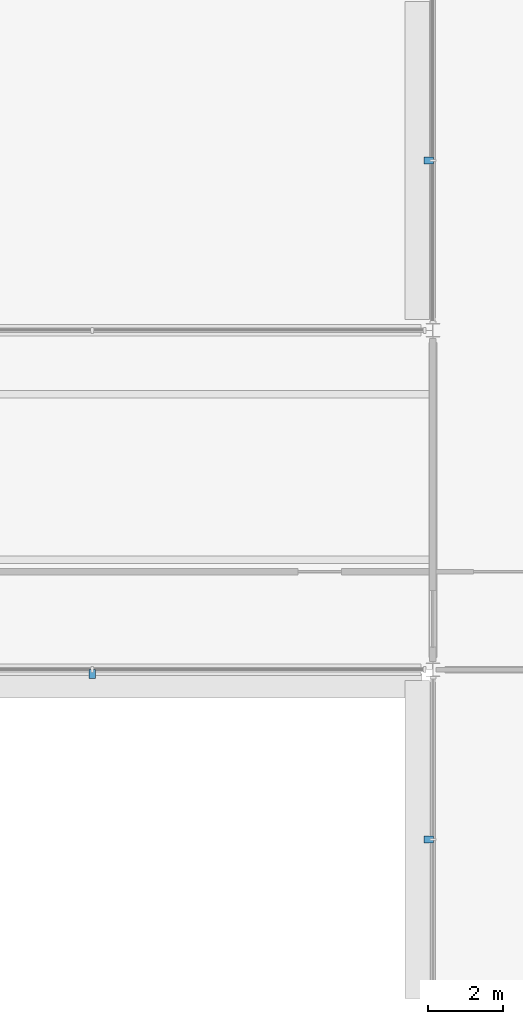
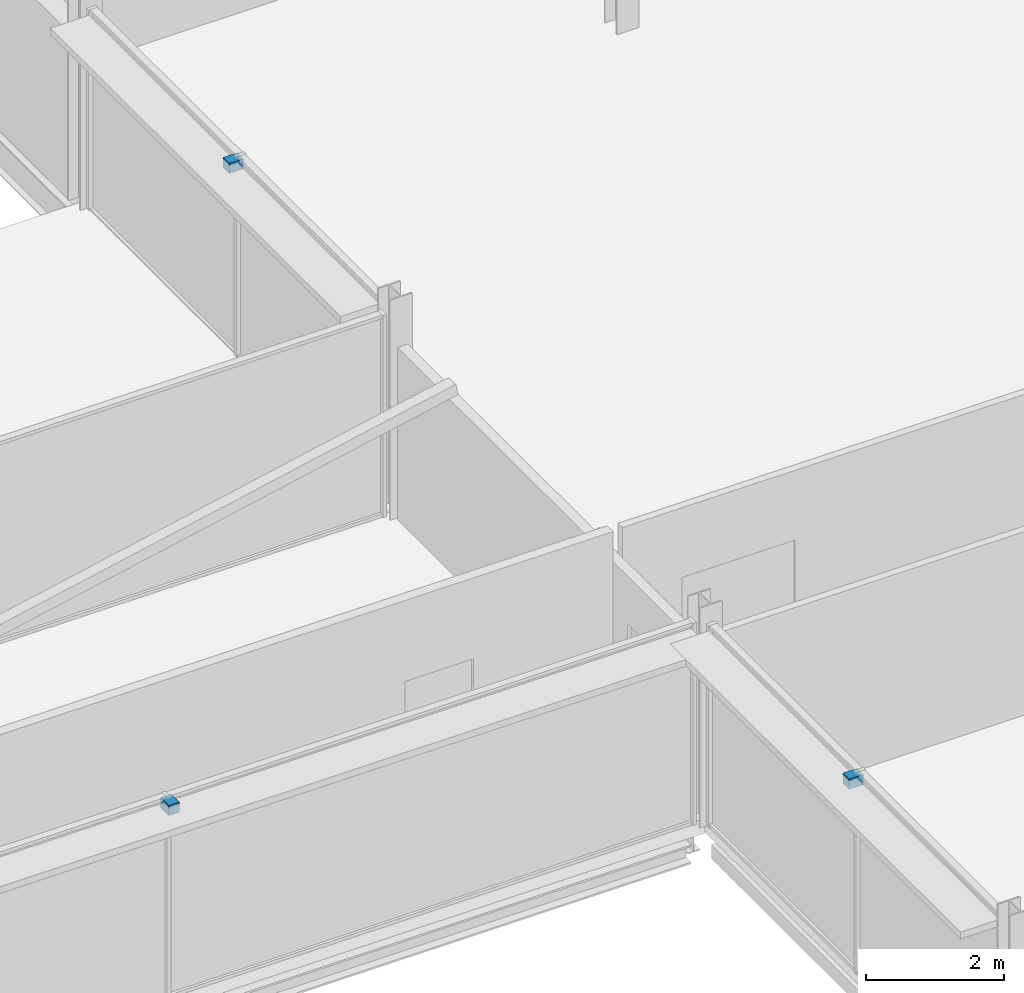
# One storey, part 83 of 105: 3 discrete accessories.
"""IFC4 building model written with IfcOpenShell, lengths in metres."""

from ifc_helpers import new_model, si_unit, direction, frame, origin, origin_2d, place, context, subcontext, project, spatial, rectangle, extrude, material, type_object, element, save


model = new_model("IFC4")

# Units and contexts
model_context = context("Model", 3, precision=1e-05, world=origin(), true_north=direction((0.0, 1.0)))
body_context = subcontext(model_context, "Body", "Model", "MODEL_VIEW")
ifc_project = project(units=[si_unit("LENGTHUNIT", "METRE"), si_unit("AREAUNIT", "SQUARE_METRE"), si_unit("VOLUMEUNIT", "CUBIC_METRE"), si_unit("PLANEANGLEUNIT", "RADIAN"), si_unit("MASSUNIT", "GRAM", prefix="KILO")], contexts=[model_context])

# Site, building, storey
site_placement = place(None, origin())
site = spatial("IfcSite", under=ifc_project, at=site_placement, CompositionType="ELEMENT")
building_placement = place(site_placement, origin())
building = spatial("IfcBuilding", under=site, at=building_placement, Name="Kisiwana Market Hall", CompositionType="ELEMENT")
storey_placement = place(building_placement, frame((0.0, 0.0, 21.60009765625)))
storey = spatial("IfcBuildingStorey", under=building, at=storey_placement, Name="L04", CompositionType="ELEMENT", Elevation=21.60009765625)

# Discrete accessories
ifc_material = material(Name="Steel S355", Category="steel")
discrete_accessory_type = type_object("IfcDiscreteAccessoryType", Name="ACC-BRACKET-STL", PredefinedType="BRACKET", material=ifc_material)
for number, where, z_axis, x_axis, name in (
    (1, (143.969482421875, 17.889892578125, 3.375), (0.0, 0.0, 1.0), (1.0, 0.0, 0.0), "Sunshade steel bracket BRK-059"),
    (2, (152.889892578125, 13.5, 3.375), (0.0, 0.0, 1.0), (0.0, 1.0, 0.0), "Sunshade steel bracket BRK-071"),
    (3, (152.889892578125, 31.5, 3.375), (0.0, 0.0, 1.0), (0.0, 1.0, 0.0), "Sunshade steel bracket BRK-072"),
):
    element("IfcDiscreteAccessory", number, at=place(storey_placement, frame(where, z_axis=z_axis, x_axis=x_axis)), inside=storey, type_object=discrete_accessory_type, Name=name, PredefinedType="BRACKET", context=body_context, shape_type="SweptSolid", body=[
        extrude(rectangle(XDim=0.179931640625, YDim=0.239990234375, at=origin_2d()), origin(), (0.0, 0.0, 1.0), 0.179931640625),
    ])

save(model, "model.ifc")
